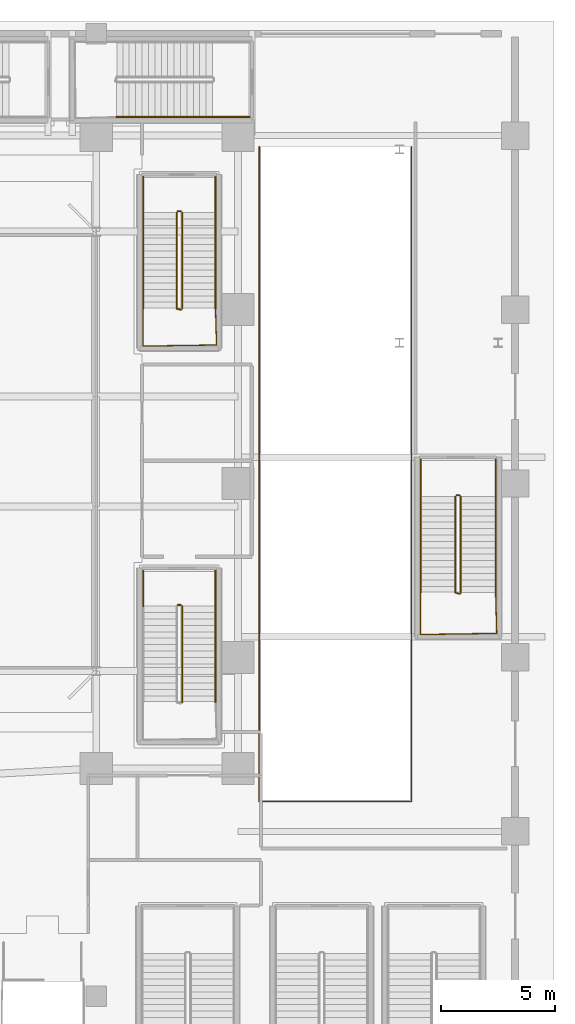
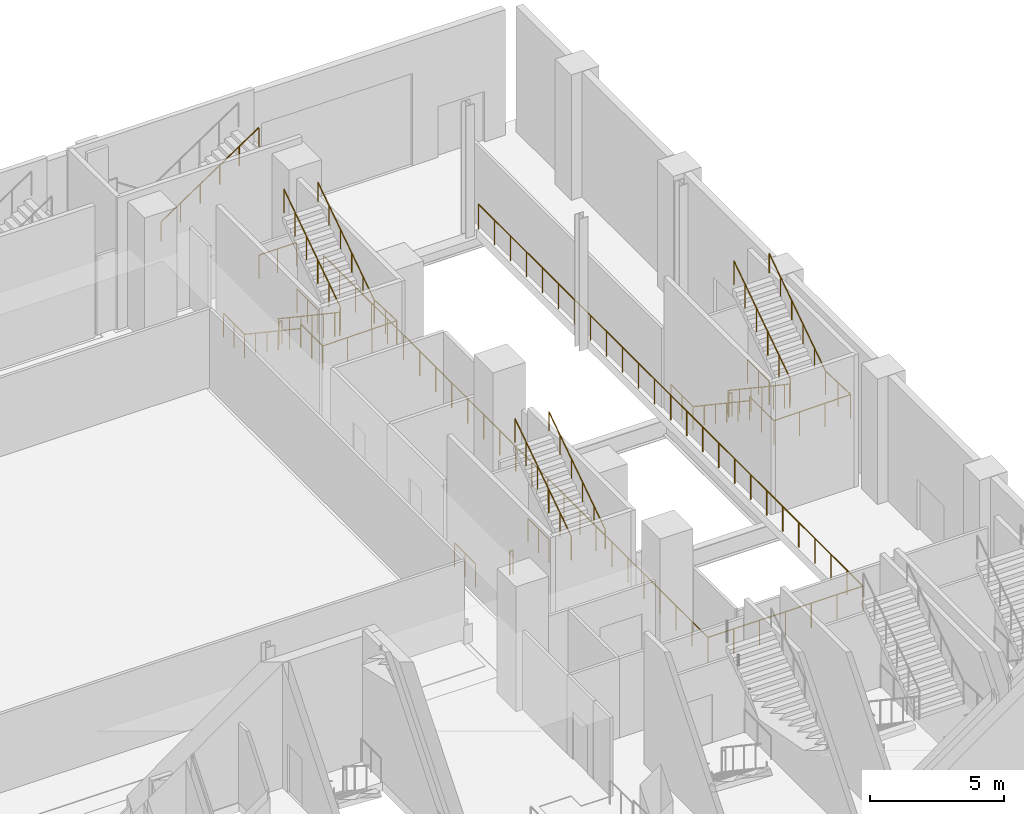
# One storey, part 34 of 36: 24 railings.
"""IFC4 building model written with IfcOpenShell, lengths in metres."""

from ifc_helpers import new_model, si_unit, direction, frame, origin, origin_2d, place, context, subcontext, project, spatial, circle, extrude, material, layer, layer_set, type_object, element, save


model = new_model("IFC4")

# Units and contexts
model_context = context("Model", 3, precision=1e-05, world=origin(), true_north=direction((0.0, 1.0)))
body_context = subcontext(model_context, "Body", "Model", "MODEL_VIEW")
ifc_project = project(units=[si_unit("LENGTHUNIT", "METRE"), si_unit("AREAUNIT", "SQUARE_METRE"), si_unit("VOLUMEUNIT", "CUBIC_METRE"), si_unit("PLANEANGLEUNIT", "RADIAN"), si_unit("MASSUNIT", "GRAM", prefix="KILO")], contexts=[model_context])

# Site, building, storey
site_placement = place(None, origin())
site = spatial("IfcSite", under=ifc_project, at=site_placement, CompositionType="ELEMENT")
building_placement = place(site_placement, origin())
building = spatial("IfcBuilding", under=site, at=building_placement, Name="Ndaravel Arena Tower", CompositionType="ELEMENT")
storey_placement = place(building_placement, origin())
storey = spatial("IfcBuildingStorey", under=building, at=storey_placement, Name="L00", CompositionType="ELEMENT", Elevation=0.0)

# Railings
ifc_material_1 = material(Name="Steel S355", Category="steel")
ifc_layer_1 = layer(ifc_material_1, 0.06005859375)
ifc_layer_set_1 = layer_set([ifc_layer_1], Name="Steel S355")
railing_type_1 = type_object("IfcRailingType", Name="RAIL-STAIR-GD1100", PredefinedType="GUARDRAIL", material=ifc_layer_set_1)
railing_1_placement = place(storey_placement, frame((70.699951171875, 43.81005859375, 0.0)))
element("IfcRailing", 1, at=railing_1_placement, inside=storey, type_object=railing_type_1, Name="L00 ST-A11 stair guard 6", PredefinedType="GUARDRAIL", context=body_context, shape_type="SweptSolid", body=[
    extrude(circle(Radius=0.02392578125, at=origin_2d()), frame((0.0, 0.0, 1.076171875), z_axis=(-1.0, 0.0, 0.0), x_axis=(0.0, -1.0, 0.0)), (0.0, 0.0, 1.0), 1.619873046875),
    extrude(circle(Radius=0.02099609375, at=origin_2d()), origin(), (0.0, 0.0, 1.0), 1.052001953125),
    extrude(circle(Radius=0.02099609375, at=origin_2d()), frame((-0.81005859375, 0.0, 0.0)), (0.0, 0.0, 1.0), 1.052001953125),
    extrude(circle(Radius=0.02099609375, at=origin_2d()), frame((-1.619873046875, 0.0, 0.0)), (0.0, 0.0, 1.0), 1.052001953125),
])
railing_2_placement = place(storey_placement, frame((79.68994140625, 27.22998046875, 0.1875)))
element("IfcRailing", 2, at=railing_2_placement, inside=storey, type_object=railing_type_1, Name="L00 ST-A12 stair guard 1", PredefinedType="GUARDRAIL", context=body_context, shape_type="SweptSolid", body=[
    extrude(circle(Radius=0.02392578125, at=origin_2d()), frame((0.0, 0.0, 1.076171875), z_axis=(0.0, -0.830904186295, 0.556415522067), x_axis=(1.0, 0.0, 0.0)), (0.0, 0.0, 1.0), 5.0546875),
    extrude(circle(Radius=0.02392578125, at=origin_2d()), frame((0.0, -4.199951171875, 3.888671875), z_axis=(0.966993988697, -0.254799187253, 0.0), x_axis=(0.254799187253, 0.966993988697, 0.0)), (0.0, 0.0, 1.0), 0.196533203125),
    extrude(circle(Radius=0.02099609375, at=origin_2d()), origin(), (0.0, 0.0, 1.0), 1.052001953125),
    extrude(circle(Radius=0.02099609375, at=origin_2d()), frame((0.0, -0.840087890625, 0.5625)), (0.0, 0.0, 1.0), 1.052001953125),
    extrude(circle(Radius=0.02099609375, at=origin_2d()), frame((0.0, -1.679931640625, 1.125)), (0.0, 0.0, 1.0), 1.052001953125),
    extrude(circle(Radius=0.02099609375, at=origin_2d()), frame((0.0, -2.52001953125, 1.6875)), (0.0, 0.0, 1.0), 1.052001953125),
    extrude(circle(Radius=0.02099609375, at=origin_2d()), frame((0.0, -3.35986328125, 2.25)), (0.0, 0.0, 1.0), 1.052001953125),
    extrude(circle(Radius=0.02099609375, at=origin_2d()), frame((0.0, -4.199951171875, 2.8125)), (0.0, 0.0, 1.0), 1.052001953125),
    extrude(circle(Radius=0.02099609375, at=origin_2d()), frame((0.18994140625, -4.25, 2.8125)), (0.0, 0.0, 1.0), 1.052001953125),
])
railing_3_placement = place(storey_placement, frame((78.169921875, 23.030029296875, 3.0)))
element("IfcRailing", 3, at=railing_3_placement, inside=storey, type_object=railing_type_1, Name="L00 ST-A12 stair guard 2", PredefinedType="GUARDRAIL", context=body_context, shape_type="SweptSolid", body=[
    extrude(circle(Radius=0.02392578125, at=origin_2d()), frame((0.0, 0.0, 1.076171875), z_axis=(0.0, -1.0, 0.0), x_axis=(1.0, 0.0, 0.0)), (0.0, 0.0, 1.0), 1.830078125),
    extrude(circle(Radius=0.02392578125, at=origin_2d()), frame((0.0, -1.830078125, 1.076171875), z_axis=(0.999887078817, 0.015027628384, 0.0), x_axis=(-0.015027628384, 0.999887078817, 0.0)), (0.0, 0.0, 1.0), 3.33056640625),
    extrude(circle(Radius=0.02392578125, at=origin_2d()), frame((3.330078125, -1.780029296875, 1.076171875), z_axis=(-0.028105748986, 0.999604955407, 0.0), x_axis=(-0.999604955407, -0.028105748986, 0.0)), (0.0, 0.0, 1.0), 1.78076171875),
    extrude(circle(Radius=0.02099609375, at=origin_2d()), origin(), (0.0, 0.0, 1.0), 1.052001953125),
    extrude(circle(Radius=0.02099609375, at=origin_2d()), frame((0.0, -0.9150390625, 0.0)), (0.0, 0.0, 1.0), 1.052001953125),
    extrude(circle(Radius=0.02099609375, at=origin_2d()), frame((0.0, -1.830078125, 0.0)), (0.0, 0.0, 1.0), 1.052001953125),
    extrude(circle(Radius=0.02099609375, at=origin_2d()), frame((1.110107421875, -1.8134765625, 0.0)), (0.0, 0.0, 1.0), 1.052001953125),
    extrude(circle(Radius=0.02099609375, at=origin_2d()), frame((2.219970703125, -1.796630859375, 0.0)), (0.0, 0.0, 1.0), 1.052001953125),
    extrude(circle(Radius=0.02099609375, at=origin_2d()), frame((3.330078125, -1.780029296875, 0.0)), (0.0, 0.0, 1.0), 1.052001953125),
    extrude(circle(Radius=0.02099609375, at=origin_2d()), frame((3.30517578125, -0.89013671875, 0.0)), (0.0, 0.0, 1.0), 1.052001953125),
    extrude(circle(Radius=0.02099609375, at=origin_2d()), frame((3.280029296875, 0.0, 0.0)), (0.0, 0.0, 1.0), 1.052001953125),
])
railing_4_placement = place(storey_placement, frame((79.929931640625, 23.030029296875, 3.1875)))
element("IfcRailing", 4, at=railing_4_placement, inside=storey, type_object=railing_type_1, Name="L00 ST-A12 stair guard 3", PredefinedType="GUARDRAIL", context=body_context, shape_type="SweptSolid", body=[
    extrude(circle(Radius=0.02392578125, at=origin_2d()), frame((0.0, 0.0, 1.076171875), z_axis=(0.0, 0.830904186295, 0.556415522067), x_axis=(-1.0, 0.0, 0.0)), (0.0, 0.0, 1.0), 5.0546875),
    extrude(circle(Radius=0.02099609375, at=origin_2d()), origin(), (0.0, 0.0, 1.0), 1.052001953125),
    extrude(circle(Radius=0.02099609375, at=origin_2d()), frame((0.0, 0.840087890625, 0.5625)), (0.0, 0.0, 1.0), 1.052001953125),
    extrude(circle(Radius=0.02099609375, at=origin_2d()), frame((0.0, 1.679931640625, 1.125)), (0.0, 0.0, 1.0), 1.052001953125),
    extrude(circle(Radius=0.02099609375, at=origin_2d()), frame((0.0, 2.52001953125, 1.6875)), (0.0, 0.0, 1.0), 1.052001953125),
    extrude(circle(Radius=0.02099609375, at=origin_2d()), frame((0.0, 3.35986328125, 2.25)), (0.0, 0.0, 1.0), 1.052001953125),
    extrude(circle(Radius=0.02099609375, at=origin_2d()), frame((0.0, 4.199951171875, 2.8125)), (0.0, 0.0, 1.0), 1.052001953125),
])
railing_5_placement = place(storey_placement, frame((79.739990234375, 27.280029296875, 0.0)))
element("IfcRailing", 5, at=railing_5_placement, inside=storey, type_object=railing_type_1, Name="L00 ST-A12 stair guard 4", PredefinedType="GUARDRAIL", context=body_context, shape_type="SweptSolid", body=[
    extrude(circle(Radius=0.02392578125, at=origin_2d()), frame((0.0, 0.0, 1.076171875), z_axis=(1.0, 0.0, 0.0), x_axis=(0.0, 1.0, 0.0)), (0.0, 0.0, 1.0), 0.139892578125),
    extrude(circle(Radius=0.02099609375, at=origin_2d()), origin(), (0.0, 0.0, 1.0), 1.052001953125),
    extrude(circle(Radius=0.02099609375, at=origin_2d()), frame((0.139892578125, 0.0, 0.0)), (0.0, 0.0, 1.0), 1.052001953125),
])
for number, where, name in (
    (6, (78.169921875, 28.85009765625, 0.0), "L00 ST-A12 stair guard 5"),
    (7, (81.449951171875, 28.85009765625, 0.0), "L00 ST-A12 stair guard 6"),
):
    element("IfcRailing", number, at=place(storey_placement, frame(where)), inside=storey, type_object=railing_type_1, Name=name, PredefinedType="GUARDRAIL", context=body_context, shape_type="SweptSolid", body=[
        extrude(circle(Radius=0.02392578125, at=origin_2d()), frame((0.0, 0.0, 1.076171875), z_axis=(0.0, -1.0, 0.0), x_axis=(1.0, 0.0, 0.0)), (0.0, 0.0, 1.0), 1.6201171875),
        extrude(circle(Radius=0.02099609375, at=origin_2d()), origin(), (0.0, 0.0, 1.0), 1.052001953125),
        extrude(circle(Radius=0.02099609375, at=origin_2d()), frame((0.0, -0.81005859375, 0.0)), (0.0, 0.0, 1.0), 1.052001953125),
        extrude(circle(Radius=0.02099609375, at=origin_2d()), frame((0.0, -1.6201171875, 0.0)), (0.0, 0.0, 1.0), 1.052001953125),
    ])
railing_6_placement = place(storey_placement, frame((67.75, 18.239990234375, 3.1875)))
element("IfcRailing", 8, at=railing_6_placement, inside=storey, type_object=railing_type_1, Name="L00 ST-VOM-3 stair guard 3", PredefinedType="GUARDRAIL", context=body_context, shape_type="SweptSolid", body=[
    extrude(circle(Radius=0.02392578125, at=origin_2d()), frame((0.0, 0.0, 1.076171875), z_axis=(0.0, 0.830904186295, 0.556415522067), x_axis=(-1.0, 0.0, 0.0)), (0.0, 0.0, 1.0), 5.0546875),
    extrude(circle(Radius=0.02099609375, at=origin_2d()), origin(), (0.0, 0.0, 1.0), 1.052001953125),
    extrude(circle(Radius=0.02099609375, at=origin_2d()), frame((0.0, 0.840087890625, 0.5625)), (0.0, 0.0, 1.0), 1.052001953125),
    extrude(circle(Radius=0.02099609375, at=origin_2d()), frame((0.0, 1.679931640625, 1.125)), (0.0, 0.0, 1.0), 1.052001953125),
    extrude(circle(Radius=0.02099609375, at=origin_2d()), frame((0.0, 2.52001953125, 1.6875)), (0.0, 0.0, 1.0), 1.052001953125),
    extrude(circle(Radius=0.02099609375, at=origin_2d()), frame((0.0, 3.35986328125, 2.25)), (0.0, 0.0, 1.0), 1.052001953125),
    extrude(circle(Radius=0.02099609375, at=origin_2d()), frame((0.0, 4.199951171875, 2.8125)), (0.0, 0.0, 1.0), 1.052001953125),
])
railing_7_placement = place(storey_placement, frame((67.56005859375, 22.489990234375, 0.0)))
element("IfcRailing", 9, at=railing_7_placement, inside=storey, type_object=railing_type_1, Name="L00 ST-VOM-3 stair guard 4", PredefinedType="GUARDRAIL", context=body_context, shape_type="SweptSolid", body=[
    extrude(circle(Radius=0.02392578125, at=origin_2d()), frame((0.0, 0.0, 1.076171875), z_axis=(1.0, 0.0, 0.0), x_axis=(0.0, 1.0, 0.0)), (0.0, 0.0, 1.0), 0.139892578125),
    extrude(circle(Radius=0.02099609375, at=origin_2d()), origin(), (0.0, 0.0, 1.0), 1.052001953125),
    extrude(circle(Radius=0.02099609375, at=origin_2d()), frame((0.139892578125, 0.0, 0.0)), (0.0, 0.0, 1.0), 1.052001953125),
])
for number, where, name in (
    (10, (66.050048828125, 24.0, 0.0), "L00 ST-VOM-3 stair guard 5"),
    (11, (69.2099609375, 24.0, 0.0), "L00 ST-VOM-3 stair guard 6"),
):
    element("IfcRailing", number, at=place(storey_placement, frame(where)), inside=storey, type_object=railing_type_1, Name=name, PredefinedType="GUARDRAIL", context=body_context, shape_type="SweptSolid", body=[
        extrude(circle(Radius=0.02392578125, at=origin_2d()), frame((0.0, 0.0, 1.076171875), z_axis=(0.0, -1.0, 0.0), x_axis=(1.0, 0.0, 0.0)), (0.0, 0.0, 1.0), 1.56005859375),
        extrude(circle(Radius=0.02099609375, at=origin_2d()), origin(), (0.0, 0.0, 1.0), 1.052001953125),
        extrude(circle(Radius=0.02099609375, at=origin_2d()), frame((0.0, -0.780029296875, 0.0)), (0.0, 0.0, 1.0), 1.052001953125),
        extrude(circle(Radius=0.02099609375, at=origin_2d()), frame((0.0, -1.56005859375, 0.0)), (0.0, 0.0, 1.0), 1.052001953125),
    ])
railing_8_placement = place(storey_placement, frame((67.510009765625, 39.639892578125, 0.1875)))
element("IfcRailing", 12, at=railing_8_placement, inside=storey, type_object=railing_type_1, Name="L00 ST-VOM-4 stair guard 1", PredefinedType="GUARDRAIL", context=body_context, shape_type="SweptSolid", body=[
    extrude(circle(Radius=0.02392578125, at=origin_2d()), frame((0.0, 0.0, 1.076171875), z_axis=(0.0, -0.830904186295, 0.556415522067), x_axis=(1.0, 0.0, 0.0)), (0.0, 0.0, 1.0), 5.0546875),
    extrude(circle(Radius=0.02392578125, at=origin_2d()), frame((0.0, -4.199951171875, 3.888671875), z_axis=(0.966993988697, -0.254799187253, 0.0), x_axis=(0.254799187253, 0.966993988697, 0.0)), (0.0, 0.0, 1.0), 0.196533203125),
    extrude(circle(Radius=0.02099609375, at=origin_2d()), origin(), (0.0, 0.0, 1.0), 1.052001953125),
    extrude(circle(Radius=0.02099609375, at=origin_2d()), frame((0.0, -0.840087890625, 0.5625)), (0.0, 0.0, 1.0), 1.052001953125),
    extrude(circle(Radius=0.02099609375, at=origin_2d()), frame((0.0, -1.679931640625, 1.125)), (0.0, 0.0, 1.0), 1.052001953125),
    extrude(circle(Radius=0.02099609375, at=origin_2d()), frame((0.0, -2.52001953125, 1.6875)), (0.0, 0.0, 1.0), 1.052001953125),
    extrude(circle(Radius=0.02099609375, at=origin_2d()), frame((0.0, -3.35986328125, 2.25)), (0.0, 0.0, 1.0), 1.052001953125),
    extrude(circle(Radius=0.02099609375, at=origin_2d()), frame((0.0, -4.199951171875, 2.8125)), (0.0, 0.0, 1.0), 1.052001953125),
    extrude(circle(Radius=0.02099609375, at=origin_2d()), frame((0.18994140625, -4.25, 2.8125)), (0.0, 0.0, 1.0), 1.052001953125),
])
railing_9_placement = place(storey_placement, frame((66.050048828125, 35.43994140625, 3.0)))
element("IfcRailing", 13, at=railing_9_placement, inside=storey, type_object=railing_type_1, Name="L00 ST-VOM-4 stair guard 2", PredefinedType="GUARDRAIL", context=body_context, shape_type="SweptSolid", body=[
    extrude(circle(Radius=0.02392578125, at=origin_2d()), frame((0.0, 0.0, 1.076171875), z_axis=(0.0, -1.0, 0.0), x_axis=(1.0, 0.0, 0.0)), (0.0, 0.0, 1.0), 1.639892578125),
    extrude(circle(Radius=0.02392578125, at=origin_2d()), frame((0.0, -1.639892578125, 1.076171875), z_axis=(0.999878471214, 0.015589830134, 0.0), x_axis=(-0.015589830134, 0.999878471214, 0.0)), (0.0, 0.0, 1.0), 3.21044921875),
    extrude(circle(Radius=0.02392578125, at=origin_2d()), frame((3.2099609375, -1.58984375, 1.076171875), z_axis=(-0.031464756864, 0.999504861957, 0.0), x_axis=(-0.999504861957, -0.031464756864, 0.0)), (0.0, 0.0, 1.0), 1.590576171875),
    extrude(circle(Radius=0.02099609375, at=origin_2d()), origin(), (0.0, 0.0, 1.0), 1.052001953125),
    extrude(circle(Radius=0.02099609375, at=origin_2d()), frame((0.0, -0.81982421875, 0.0)), (0.0, 0.0, 1.0), 1.052001953125),
    extrude(circle(Radius=0.02099609375, at=origin_2d()), frame((0.0, -1.639892578125, 0.0)), (0.0, 0.0, 1.0), 1.052001953125),
    extrude(circle(Radius=0.02099609375, at=origin_2d()), frame((1.070068359375, -1.623291015625, 0.0)), (0.0, 0.0, 1.0), 1.052001953125),
    extrude(circle(Radius=0.02099609375, at=origin_2d()), frame((2.139892578125, -1.6064453125, 0.0)), (0.0, 0.0, 1.0), 1.052001953125),
    extrude(circle(Radius=0.02099609375, at=origin_2d()), frame((3.2099609375, -1.58984375, 0.0)), (0.0, 0.0, 1.0), 1.052001953125),
    extrude(circle(Radius=0.02099609375, at=origin_2d()), frame((3.18505859375, -0.794921875, 0.0)), (0.0, 0.0, 1.0), 1.052001953125),
    extrude(circle(Radius=0.02099609375, at=origin_2d()), frame((3.159912109375, 0.0, 0.0)), (0.0, 0.0, 1.0), 1.052001953125),
])
railing_10_placement = place(storey_placement, frame((67.75, 35.43994140625, 3.1875)))
element("IfcRailing", 14, at=railing_10_placement, inside=storey, type_object=railing_type_1, Name="L00 ST-VOM-4 stair guard 3", PredefinedType="GUARDRAIL", context=body_context, shape_type="SweptSolid", body=[
    extrude(circle(Radius=0.02392578125, at=origin_2d()), frame((0.0, 0.0, 1.076171875), z_axis=(0.0, 0.830904186295, 0.556415522067), x_axis=(-1.0, 0.0, 0.0)), (0.0, 0.0, 1.0), 5.0546875),
    extrude(circle(Radius=0.02099609375, at=origin_2d()), origin(), (0.0, 0.0, 1.0), 1.052001953125),
    extrude(circle(Radius=0.02099609375, at=origin_2d()), frame((0.0, 0.840087890625, 0.5625)), (0.0, 0.0, 1.0), 1.052001953125),
    extrude(circle(Radius=0.02099609375, at=origin_2d()), frame((0.0, 1.679931640625, 1.125)), (0.0, 0.0, 1.0), 1.052001953125),
    extrude(circle(Radius=0.02099609375, at=origin_2d()), frame((0.0, 2.52001953125, 1.6875)), (0.0, 0.0, 1.0), 1.052001953125),
    extrude(circle(Radius=0.02099609375, at=origin_2d()), frame((0.0, 3.35986328125, 2.25)), (0.0, 0.0, 1.0), 1.052001953125),
    extrude(circle(Radius=0.02099609375, at=origin_2d()), frame((0.0, 4.199951171875, 2.8125)), (0.0, 0.0, 1.0), 1.052001953125),
])
railing_11_placement = place(storey_placement, frame((67.56005859375, 39.68994140625, 0.0)))
element("IfcRailing", 15, at=railing_11_placement, inside=storey, type_object=railing_type_1, Name="L00 ST-VOM-4 stair guard 4", PredefinedType="GUARDRAIL", context=body_context, shape_type="SweptSolid", body=[
    extrude(circle(Radius=0.02392578125, at=origin_2d()), frame((0.0, 0.0, 1.076171875), z_axis=(1.0, 0.0, 0.0), x_axis=(0.0, 1.0, 0.0)), (0.0, 0.0, 1.0), 0.139892578125),
    extrude(circle(Radius=0.02099609375, at=origin_2d()), origin(), (0.0, 0.0, 1.0), 1.052001953125),
    extrude(circle(Radius=0.02099609375, at=origin_2d()), frame((0.139892578125, 0.0, 0.0)), (0.0, 0.0, 1.0), 1.052001953125),
])
for number, where, name in (
    (16, (66.050048828125, 41.199951171875, 0.0), "L00 ST-VOM-4 stair guard 5"),
    (17, (69.2099609375, 41.199951171875, 0.0), "L00 ST-VOM-4 stair guard 6"),
):
    element("IfcRailing", number, at=place(storey_placement, frame(where)), inside=storey, type_object=railing_type_1, Name=name, PredefinedType="GUARDRAIL", context=body_context, shape_type="SweptSolid", body=[
        extrude(circle(Radius=0.02392578125, at=origin_2d()), frame((0.0, 0.0, 1.076171875), z_axis=(0.0, -1.0, 0.0), x_axis=(1.0, 0.0, 0.0)), (0.0, 0.0, 1.0), 1.56005859375),
        extrude(circle(Radius=0.02099609375, at=origin_2d()), origin(), (0.0, 0.0, 1.0), 1.052001953125),
        extrude(circle(Radius=0.02099609375, at=origin_2d()), frame((0.0, -0.780029296875, 0.0)), (0.0, 0.0, 1.0), 1.052001953125),
        extrude(circle(Radius=0.02099609375, at=origin_2d()), frame((0.0, -1.56005859375, 0.0)), (0.0, 0.0, 1.0), 1.052001953125),
    ])
ifc_material_2 = material(Name="Steel S355", Category="steel")
ifc_layer_2 = layer(ifc_material_2, 0.050048828125)
ifc_layer_set_2 = layer_set([ifc_layer_2], Name="Steel S355")
railing_type_2 = type_object("IfcRailingType", Name="RAIL-STAIR-HR920", PredefinedType="HANDRAIL", material=ifc_layer_set_2)
railing_12_placement = place(storey_placement, frame((64.8798828125, 43.81005859375, 3.1875)))
element("IfcRailing", 18, at=railing_12_placement, inside=storey, type_object=railing_type_2, Name="L00 ST-A11 stair handrail 2", PredefinedType="HANDRAIL", context=body_context, shape_type="SweptSolid", body=[
    extrude(circle(Radius=0.02392578125, at=origin_2d()), frame((0.0, 0.0, 0.8759765625), z_axis=(0.830919138977, 0.0, 0.55639319234), x_axis=(0.0, 1.0, 0.0)), (0.0, 0.0, 1.0), 5.054931640625),
    extrude(circle(Radius=0.02099609375, at=origin_2d()), origin(), (0.0, 0.0, 1.0), 0.851806640625),
    extrude(circle(Radius=0.02099609375, at=origin_2d()), frame((0.840087890625, 0.0, 0.5625)), (0.0, 0.0, 1.0), 0.851806640625),
    extrude(circle(Radius=0.02099609375, at=origin_2d()), frame((1.68017578125, 0.0, 1.125)), (0.0, 0.0, 1.0), 0.851806640625),
    extrude(circle(Radius=0.02099609375, at=origin_2d()), frame((2.52001953125, 0.0, 1.6875)), (0.0, 0.0, 1.0), 0.851806640625),
    extrude(circle(Radius=0.02099609375, at=origin_2d()), frame((3.360107421875, 0.0, 2.25)), (0.0, 0.0, 1.0), 0.851806640625),
    extrude(circle(Radius=0.02099609375, at=origin_2d()), frame((4.2001953125, 0.0, 2.8125)), (0.0, 0.0, 1.0), 0.851806640625),
])
railing_13_placement = place(storey_placement, frame((78.169921875, 27.22998046875, 0.1875)))
element("IfcRailing", 19, at=railing_13_placement, inside=storey, type_object=railing_type_2, Name="L00 ST-A12 stair handrail 1", PredefinedType="HANDRAIL", context=body_context, shape_type="SweptSolid", body=[
    extrude(circle(Radius=0.02392578125, at=origin_2d()), frame((0.0, 0.0, 0.8759765625), z_axis=(0.0, -0.830904186295, 0.556415522067), x_axis=(1.0, 0.0, 0.0)), (0.0, 0.0, 1.0), 5.0546875),
    extrude(circle(Radius=0.02099609375, at=origin_2d()), origin(), (0.0, 0.0, 1.0), 0.851806640625),
    extrude(circle(Radius=0.02099609375, at=origin_2d()), frame((0.0, -0.840087890625, 0.5625)), (0.0, 0.0, 1.0), 0.851806640625),
    extrude(circle(Radius=0.02099609375, at=origin_2d()), frame((0.0, -1.679931640625, 1.125)), (0.0, 0.0, 1.0), 0.851806640625),
    extrude(circle(Radius=0.02099609375, at=origin_2d()), frame((0.0, -2.52001953125, 1.6875)), (0.0, 0.0, 1.0), 0.851806640625),
    extrude(circle(Radius=0.02099609375, at=origin_2d()), frame((0.0, -3.35986328125, 2.25)), (0.0, 0.0, 1.0), 0.851806640625),
    extrude(circle(Radius=0.02099609375, at=origin_2d()), frame((0.0, -4.199951171875, 2.8125)), (0.0, 0.0, 1.0), 0.851806640625),
])
for number, where, name in (
    (20, (81.449951171875, 23.030029296875, 3.1875), "L00 ST-A12 stair handrail 2"),
    (21, (69.2099609375, 18.239990234375, 3.1875), "L00 ST-VOM-3 stair handrail 2"),
):
    element("IfcRailing", number, at=place(storey_placement, frame(where)), inside=storey, type_object=railing_type_2, Name=name, PredefinedType="HANDRAIL", context=body_context, shape_type="SweptSolid", body=[
        extrude(circle(Radius=0.02392578125, at=origin_2d()), frame((0.0, 0.0, 0.8759765625), z_axis=(0.0, 0.830904186295, 0.556415522067), x_axis=(-1.0, 0.0, 0.0)), (0.0, 0.0, 1.0), 5.0546875),
        extrude(circle(Radius=0.02099609375, at=origin_2d()), origin(), (0.0, 0.0, 1.0), 0.851806640625),
        extrude(circle(Radius=0.02099609375, at=origin_2d()), frame((0.0, 0.840087890625, 0.5625)), (0.0, 0.0, 1.0), 0.851806640625),
        extrude(circle(Radius=0.02099609375, at=origin_2d()), frame((0.0, 1.679931640625, 1.125)), (0.0, 0.0, 1.0), 0.851806640625),
        extrude(circle(Radius=0.02099609375, at=origin_2d()), frame((0.0, 2.52001953125, 1.6875)), (0.0, 0.0, 1.0), 0.851806640625),
        extrude(circle(Radius=0.02099609375, at=origin_2d()), frame((0.0, 3.35986328125, 2.25)), (0.0, 0.0, 1.0), 0.851806640625),
        extrude(circle(Radius=0.02099609375, at=origin_2d()), frame((0.0, 4.199951171875, 2.8125)), (0.0, 0.0, 1.0), 0.851806640625),
    ])
railing_14_placement = place(storey_placement, frame((66.050048828125, 39.639892578125, 0.1875)))
element("IfcRailing", 22, at=railing_14_placement, inside=storey, type_object=railing_type_2, Name="L00 ST-VOM-4 stair handrail 1", PredefinedType="HANDRAIL", context=body_context, shape_type="SweptSolid", body=[
    extrude(circle(Radius=0.02392578125, at=origin_2d()), frame((0.0, 0.0, 0.8759765625), z_axis=(0.0, -0.830904186295, 0.556415522067), x_axis=(1.0, 0.0, 0.0)), (0.0, 0.0, 1.0), 5.0546875),
    extrude(circle(Radius=0.02099609375, at=origin_2d()), origin(), (0.0, 0.0, 1.0), 0.851806640625),
    extrude(circle(Radius=0.02099609375, at=origin_2d()), frame((0.0, -0.840087890625, 0.5625)), (0.0, 0.0, 1.0), 0.851806640625),
    extrude(circle(Radius=0.02099609375, at=origin_2d()), frame((0.0, -1.679931640625, 1.125)), (0.0, 0.0, 1.0), 0.851806640625),
    extrude(circle(Radius=0.02099609375, at=origin_2d()), frame((0.0, -2.52001953125, 1.6875)), (0.0, 0.0, 1.0), 0.851806640625),
    extrude(circle(Radius=0.02099609375, at=origin_2d()), frame((0.0, -3.35986328125, 2.25)), (0.0, 0.0, 1.0), 0.851806640625),
    extrude(circle(Radius=0.02099609375, at=origin_2d()), frame((0.0, -4.199951171875, 2.8125)), (0.0, 0.0, 1.0), 0.851806640625),
])
railing_15_placement = place(storey_placement, frame((69.2099609375, 35.43994140625, 3.1875)))
element("IfcRailing", 23, at=railing_15_placement, inside=storey, type_object=railing_type_2, Name="L00 ST-VOM-4 stair handrail 2", PredefinedType="HANDRAIL", context=body_context, shape_type="SweptSolid", body=[
    extrude(circle(Radius=0.02392578125, at=origin_2d()), frame((0.0, 0.0, 0.8759765625), z_axis=(0.0, 0.830904186295, 0.556415522067), x_axis=(-1.0, 0.0, 0.0)), (0.0, 0.0, 1.0), 5.0546875),
    extrude(circle(Radius=0.02099609375, at=origin_2d()), origin(), (0.0, 0.0, 1.0), 0.851806640625),
    extrude(circle(Radius=0.02099609375, at=origin_2d()), frame((0.0, 0.840087890625, 0.5625)), (0.0, 0.0, 1.0), 0.851806640625),
    extrude(circle(Radius=0.02099609375, at=origin_2d()), frame((0.0, 1.679931640625, 1.125)), (0.0, 0.0, 1.0), 0.851806640625),
    extrude(circle(Radius=0.02099609375, at=origin_2d()), frame((0.0, 2.52001953125, 1.6875)), (0.0, 0.0, 1.0), 0.851806640625),
    extrude(circle(Radius=0.02099609375, at=origin_2d()), frame((0.0, 3.35986328125, 2.25)), (0.0, 0.0, 1.0), 0.851806640625),
    extrude(circle(Radius=0.02099609375, at=origin_2d()), frame((0.0, 4.199951171875, 2.8125)), (0.0, 0.0, 1.0), 0.851806640625),
])
ifc_material_3 = material(Name="Glazing", Category="glass")
ifc_layer_3 = layer(ifc_material_3, 0.070068359375)
ifc_layer_set_3 = layer_set([ifc_layer_3], Name="Glazing")
railing_type_3 = type_object("IfcRailingType", Name="RAIL-TERRACE-1150", PredefinedType="BALUSTRADE", material=ifc_layer_set_3)
railing_16_placement = place(storey_placement, frame((71.1201171875, 42.52001953125, 0.0)))
element("IfcRailing", 24, at=railing_16_placement, inside=storey, type_object=railing_type_3, Name="L00 Broadcast Truck Ramp Well 3-Sided Guard", PredefinedType="BALUSTRADE", context=body_context, shape_type="SweptSolid", body=[
    extrude(circle(Radius=0.02392578125, at=origin_2d()), frame((0.0, 0.0, 1.1259765625), z_axis=(0.0, -1.0, 0.0), x_axis=(1.0, 0.0, 0.0)), (0.0, 0.0, 1.0), 28.6201171875),
    extrude(circle(Radius=0.02392578125, at=origin_2d()), frame((0.0, -28.6201171875, 1.1259765625), z_axis=(1.0, 0.0, 0.0), x_axis=(0.0, 1.0, 0.0)), (0.0, 0.0, 1.0), 6.659912109375),
    extrude(circle(Radius=0.02392578125, at=origin_2d()), frame((6.659912109375, -28.6201171875, 1.1259765625), z_axis=(0.0, 1.0, 0.0), x_axis=(-1.0, 0.0, 0.0)), (0.0, 0.0, 1.0), 28.6201171875),
    extrude(circle(Radius=0.02099609375, at=origin_2d()), origin(), (0.0, 0.0, 1.0), 1.101806640625),
    extrude(circle(Radius=0.02099609375, at=origin_2d()), frame((0.0, -1.1923828125, 0.0)), (0.0, 0.0, 1.0), 1.101806640625),
    extrude(circle(Radius=0.02099609375, at=origin_2d()), frame((0.0, -2.385009765625, 0.0)), (0.0, 0.0, 1.0), 1.101806640625),
    extrude(circle(Radius=0.02099609375, at=origin_2d()), frame((0.0, -3.57763671875, 0.0)), (0.0, 0.0, 1.0), 1.101806640625),
    extrude(circle(Radius=0.02099609375, at=origin_2d()), frame((0.0, -4.77001953125, 0.0)), (0.0, 0.0, 1.0), 1.101806640625),
    extrude(circle(Radius=0.02099609375, at=origin_2d()), frame((0.0, -5.96240234375, 0.0)), (0.0, 0.0, 1.0), 1.101806640625),
    extrude(circle(Radius=0.02099609375, at=origin_2d()), frame((0.0, -7.155029296875, 0.0)), (0.0, 0.0, 1.0), 1.101806640625),
    extrude(circle(Radius=0.02099609375, at=origin_2d()), frame((0.0, -8.34765625, 0.0)), (0.0, 0.0, 1.0), 1.101806640625),
    extrude(circle(Radius=0.02099609375, at=origin_2d()), frame((0.0, -9.5400390625, 0.0)), (0.0, 0.0, 1.0), 1.101806640625),
    extrude(circle(Radius=0.02099609375, at=origin_2d()), frame((0.0, -10.732421875, 0.0)), (0.0, 0.0, 1.0), 1.101806640625),
    extrude(circle(Radius=0.02099609375, at=origin_2d()), frame((0.0, -11.925048828125, 0.0)), (0.0, 0.0, 1.0), 1.101806640625),
    extrude(circle(Radius=0.02099609375, at=origin_2d()), frame((0.0, -13.11767578125, 0.0)), (0.0, 0.0, 1.0), 1.101806640625),
    extrude(circle(Radius=0.02099609375, at=origin_2d()), frame((0.0, -14.31005859375, 0.0)), (0.0, 0.0, 1.0), 1.101806640625),
    extrude(circle(Radius=0.02099609375, at=origin_2d()), frame((0.0, -15.50244140625, 0.0)), (0.0, 0.0, 1.0), 1.101806640625),
    extrude(circle(Radius=0.02099609375, at=origin_2d()), frame((0.0, -16.695068359375, 0.0)), (0.0, 0.0, 1.0), 1.101806640625),
    extrude(circle(Radius=0.02099609375, at=origin_2d()), frame((0.0, -17.8876953125, 0.0)), (0.0, 0.0, 1.0), 1.101806640625),
    extrude(circle(Radius=0.02099609375, at=origin_2d()), frame((0.0, -19.080078125, 0.0)), (0.0, 0.0, 1.0), 1.101806640625),
    extrude(circle(Radius=0.02099609375, at=origin_2d()), frame((0.0, -20.2724609375, 0.0)), (0.0, 0.0, 1.0), 1.101806640625),
    extrude(circle(Radius=0.02099609375, at=origin_2d()), frame((0.0, -21.465087890625, 0.0)), (0.0, 0.0, 1.0), 1.101806640625),
    extrude(circle(Radius=0.02099609375, at=origin_2d()), frame((0.0, -22.65771484375, 0.0)), (0.0, 0.0, 1.0), 1.101806640625),
    extrude(circle(Radius=0.02099609375, at=origin_2d()), frame((0.0, -23.85009765625, 0.0)), (0.0, 0.0, 1.0), 1.101806640625),
    extrude(circle(Radius=0.02099609375, at=origin_2d()), frame((0.0, -25.04248046875, 0.0)), (0.0, 0.0, 1.0), 1.101806640625),
    extrude(circle(Radius=0.02099609375, at=origin_2d()), frame((0.0, -26.235107421875, 0.0)), (0.0, 0.0, 1.0), 1.101806640625),
    extrude(circle(Radius=0.02099609375, at=origin_2d()), frame((0.0, -27.427734375, 0.0)), (0.0, 0.0, 1.0), 1.101806640625),
    extrude(circle(Radius=0.02099609375, at=origin_2d()), frame((0.0, -28.6201171875, 0.0)), (0.0, 0.0, 1.0), 1.101806640625),
    extrude(circle(Radius=0.02099609375, at=origin_2d()), frame((1.10986328125, -28.6201171875, 0.0)), (0.0, 0.0, 1.0), 1.101806640625),
    extrude(circle(Radius=0.02099609375, at=origin_2d()), frame((2.219970703125, -28.6201171875, 0.0)), (0.0, 0.0, 1.0), 1.101806640625),
    extrude(circle(Radius=0.02099609375, at=origin_2d()), frame((3.330078125, -28.6201171875, 0.0)), (0.0, 0.0, 1.0), 1.101806640625),
    extrude(circle(Radius=0.02099609375, at=origin_2d()), frame((4.43994140625, -28.6201171875, 0.0)), (0.0, 0.0, 1.0), 1.101806640625),
    extrude(circle(Radius=0.02099609375, at=origin_2d()), frame((5.5498046875, -28.6201171875, 0.0)), (0.0, 0.0, 1.0), 1.101806640625),
    extrude(circle(Radius=0.02099609375, at=origin_2d()), frame((6.659912109375, -28.6201171875, 0.0)), (0.0, 0.0, 1.0), 1.101806640625),
    extrude(circle(Radius=0.02099609375, at=origin_2d()), frame((6.659912109375, -27.427734375, 0.0)), (0.0, 0.0, 1.0), 1.101806640625),
    extrude(circle(Radius=0.02099609375, at=origin_2d()), frame((6.659912109375, -26.235107421875, 0.0)), (0.0, 0.0, 1.0), 1.101806640625),
    extrude(circle(Radius=0.02099609375, at=origin_2d()), frame((6.659912109375, -25.04248046875, 0.0)), (0.0, 0.0, 1.0), 1.101806640625),
    extrude(circle(Radius=0.02099609375, at=origin_2d()), frame((6.659912109375, -23.85009765625, 0.0)), (0.0, 0.0, 1.0), 1.101806640625),
    extrude(circle(Radius=0.02099609375, at=origin_2d()), frame((6.659912109375, -22.65771484375, 0.0)), (0.0, 0.0, 1.0), 1.101806640625),
    extrude(circle(Radius=0.02099609375, at=origin_2d()), frame((6.659912109375, -21.465087890625, 0.0)), (0.0, 0.0, 1.0), 1.101806640625),
    extrude(circle(Radius=0.02099609375, at=origin_2d()), frame((6.659912109375, -20.2724609375, 0.0)), (0.0, 0.0, 1.0), 1.101806640625),
    extrude(circle(Radius=0.02099609375, at=origin_2d()), frame((6.659912109375, -19.080078125, 0.0)), (0.0, 0.0, 1.0), 1.101806640625),
    extrude(circle(Radius=0.02099609375, at=origin_2d()), frame((6.659912109375, -17.8876953125, 0.0)), (0.0, 0.0, 1.0), 1.101806640625),
    extrude(circle(Radius=0.02099609375, at=origin_2d()), frame((6.659912109375, -16.695068359375, 0.0)), (0.0, 0.0, 1.0), 1.101806640625),
    extrude(circle(Radius=0.02099609375, at=origin_2d()), frame((6.659912109375, -15.50244140625, 0.0)), (0.0, 0.0, 1.0), 1.101806640625),
    extrude(circle(Radius=0.02099609375, at=origin_2d()), frame((6.659912109375, -14.31005859375, 0.0)), (0.0, 0.0, 1.0), 1.101806640625),
    extrude(circle(Radius=0.02099609375, at=origin_2d()), frame((6.659912109375, -13.11767578125, 0.0)), (0.0, 0.0, 1.0), 1.101806640625),
    extrude(circle(Radius=0.02099609375, at=origin_2d()), frame((6.659912109375, -11.925048828125, 0.0)), (0.0, 0.0, 1.0), 1.101806640625),
    extrude(circle(Radius=0.02099609375, at=origin_2d()), frame((6.659912109375, -10.732421875, 0.0)), (0.0, 0.0, 1.0), 1.101806640625),
    extrude(circle(Radius=0.02099609375, at=origin_2d()), frame((6.659912109375, -9.5400390625, 0.0)), (0.0, 0.0, 1.0), 1.101806640625),
    extrude(circle(Radius=0.02099609375, at=origin_2d()), frame((6.659912109375, -8.34765625, 0.0)), (0.0, 0.0, 1.0), 1.101806640625),
    extrude(circle(Radius=0.02099609375, at=origin_2d()), frame((6.659912109375, -7.155029296875, 0.0)), (0.0, 0.0, 1.0), 1.101806640625),
    extrude(circle(Radius=0.02099609375, at=origin_2d()), frame((6.659912109375, -5.96240234375, 0.0)), (0.0, 0.0, 1.0), 1.101806640625),
    extrude(circle(Radius=0.02099609375, at=origin_2d()), frame((6.659912109375, -4.77001953125, 0.0)), (0.0, 0.0, 1.0), 1.101806640625),
    extrude(circle(Radius=0.02099609375, at=origin_2d()), frame((6.659912109375, -3.57763671875, 0.0)), (0.0, 0.0, 1.0), 1.101806640625),
    extrude(circle(Radius=0.02099609375, at=origin_2d()), frame((6.659912109375, -2.385009765625, 0.0)), (0.0, 0.0, 1.0), 1.101806640625),
    extrude(circle(Radius=0.02099609375, at=origin_2d()), frame((6.659912109375, -1.1923828125, 0.0)), (0.0, 0.0, 1.0), 1.101806640625),
    extrude(circle(Radius=0.02099609375, at=origin_2d()), frame((6.659912109375, 0.0, 0.0)), (0.0, 0.0, 1.0), 1.101806640625),
])

save(model, "model.ifc")
